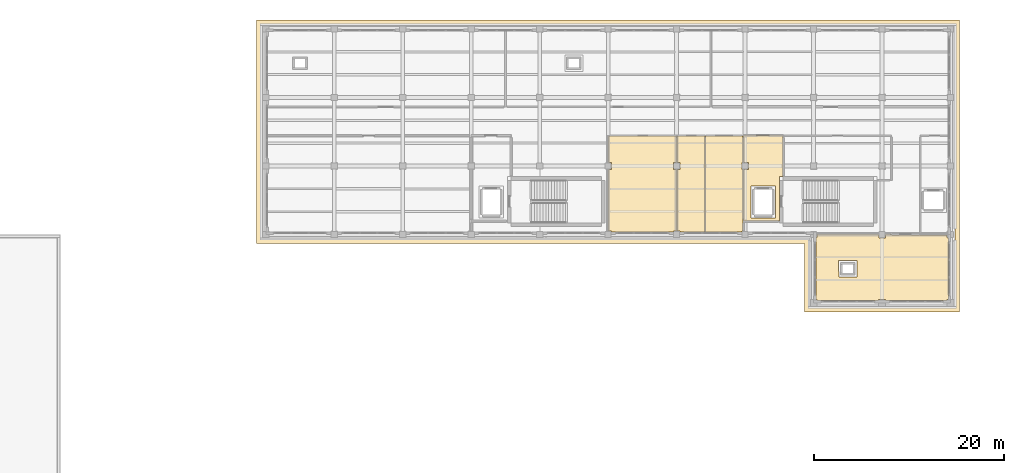
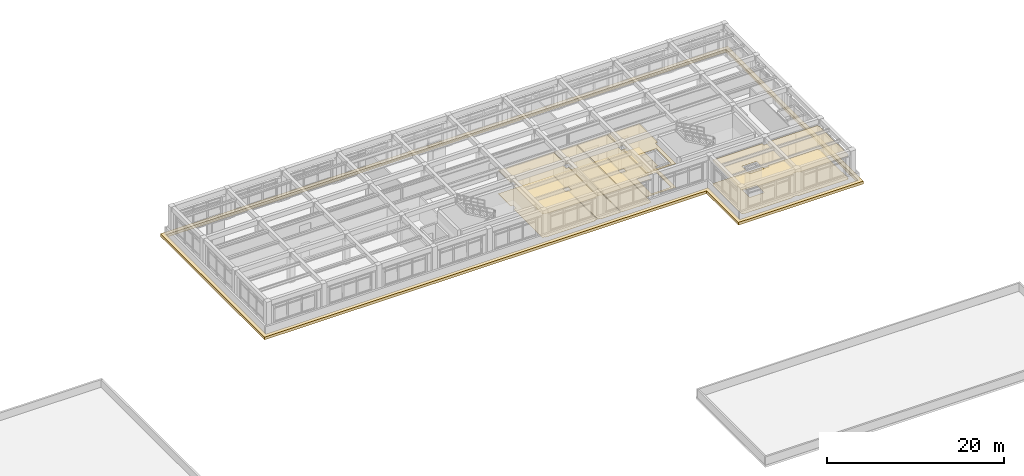
# One storey, part 53 of 55: 11 coverings.
"""IFC4 building model written with IfcOpenShell, lengths in metres."""

from ifc_helpers import new_model, si_unit, direction, frame, origin, place, context, subcontext, project, spatial, polyline, outline, extrude, material, layer, layer_set, type_object, element, save


model = new_model("IFC4")

# Units and contexts
model_context = context("Model", 3, precision=1e-05, world=origin(), true_north=direction((0.0, 1.0)))
body_context = subcontext(model_context, "Body", "Model", "MODEL_VIEW")
ifc_project = project(units=[si_unit("LENGTHUNIT", "METRE"), si_unit("AREAUNIT", "SQUARE_METRE"), si_unit("VOLUMEUNIT", "CUBIC_METRE"), si_unit("PLANEANGLEUNIT", "RADIAN"), si_unit("MASSUNIT", "GRAM", prefix="KILO")], contexts=[model_context])

# Site, building, storey
site_placement = place(None, origin())
site = spatial("IfcSite", under=ifc_project, at=site_placement, CompositionType="ELEMENT")
building_placement = place(site_placement, origin())
building = spatial("IfcBuilding", under=site, at=building_placement, Name="Solenvale Faculty of Natural Sciences", CompositionType="ELEMENT")
storey_placement = place(building_placement, frame((0.0, 0.0, 22.5)))
storey = spatial("IfcBuildingStorey", under=building, at=storey_placement, Name="L05", CompositionType="ELEMENT", Elevation=22.5)

# Coverings
ifc_material_1 = material(Name="Acoustic mineral-timber ceiling", Category="wood")
ifc_layer_1 = layer(ifc_material_1, 0.02490234375)
ifc_layer_set_1 = layer_set([ifc_layer_1], Name="Acoustic mineral-timber ceiling")
covering_type_1 = type_object("IfcCoveringType", Name="COV-CEIL-AC25", PredefinedType="CEILING", material=ifc_layer_set_1)
covering_1_placement = place(storey_placement, frame((0.0, 0.0, 3.235107421875)))
element("IfcCovering", 1, at=covering_1_placement, inside=storey, type_object=covering_type_1, Name="L05 Firefighting Lobby C5 Acoustic Ceiling", PredefinedType="CEILING", context=body_context, shape_type="SweptSolid", body=[
    extrude(outline(polyline([(133.580078125, 99.7099609375), (133.555908203125, 99.680908203125), (133.248046875, 99.679931640625), (133.219970703125, 99.652099609375), (133.212890625, 95.031005859375), (133.18994140625, 95.02001953125), (129.430908203125, 95.027099609375), (129.419921875, 95.050048828125), (129.419921875, 100.423095703125), (129.447021484375, 100.449951171875), (129.947998046875, 100.4541015625), (129.949951171875, 101.138916015625), (129.93896484375, 101.14990234375), (129.447021484375, 101.14990234375), (129.4208984375, 101.174072265625), (129.419921875, 103.949951171875), (129.428955078125, 103.970947265625), (129.449951171875, 103.97998046875), (133.550048828125, 103.97998046875), (133.571044921875, 103.970947265625), (133.580078125, 103.949951171875), (133.580078125, 99.7099609375)]), holes=[polyline([(132.780029296875, 98.652099609375), (132.77001953125, 98.672119140625), (132.75, 98.679931640625), (130.25, 98.679931640625), (130.22607421875, 98.66796875), (130.219970703125, 95.35009765625), (130.23193359375, 95.325927734375), (132.75, 95.320068359375), (132.77392578125, 95.33203125), (132.780029296875, 98.652099609375)])]), origin(), (0.0, 0.0, 1.0), 0.02490234375),
])
covering_2_placement = place(storey_placement, frame((0.0, 0.0, 3.235107421875)))
element("IfcCovering", 2, at=covering_2_placement, inside=storey, type_object=covering_type_1, Name="L05 Public Washroom Acoustic Ceiling", PredefinedType="CEILING", context=body_context, shape_type="SweptSolid", body=[
    extrude(outline(polyline([(122.35009765625, 103.9599609375), (122.37109375, 103.950927734375), (122.3798828125, 103.929931640625), (122.3798828125, 101.177001953125), (122.35302734375, 101.14990234375), (122.051025390625, 101.14404296875), (122.050048828125, 100.4609375), (122.06103515625, 100.449951171875), (122.35302734375, 100.449951171875), (122.3798828125, 100.423095703125), (122.375, 93.962890625), (122.35009765625, 93.949951171875), (122.056884765625, 93.949951171875), (122.049072265625, 93.861083984375), (122.02001953125, 93.840087890625), (115.580078125, 93.840087890625), (115.551025390625, 93.861083984375), (115.54296875, 93.949951171875), (115.23291015625, 93.955078125), (115.219970703125, 93.97998046875), (115.219970703125, 100.419921875), (115.2470703125, 100.449951171875), (115.549072265625, 100.4560546875), (115.550048828125, 101.138916015625), (115.5390625, 101.14990234375), (115.2470703125, 101.14990234375), (115.219970703125, 101.177001953125), (115.22509765625, 103.947021484375), (115.25, 103.9599609375), (122.35009765625, 103.9599609375)])), origin(), (0.0, 0.0, 1.0), 0.02490234375),
])
covering_3_placement = place(storey_placement, frame((0.0, 0.0, 3.235107421875)))
element("IfcCovering", 3, at=covering_3_placement, inside=storey, type_object=covering_type_1, Name="L05 Accessible Washroom Acoustic Ceiling", PredefinedType="CEILING", context=body_context, shape_type="SweptSolid", body=[
    extrude(outline(polyline([(125.35009765625, 103.9599609375), (125.37109375, 103.950927734375), (125.3798828125, 103.929931640625), (125.37890625, 93.861083984375), (125.35009765625, 93.840087890625), (122.77099609375, 93.841064453125), (122.7509765625, 93.861083984375), (122.743896484375, 93.948974609375), (122.467041015625, 93.949951171875), (122.43994140625, 93.97998046875), (122.43994140625, 100.419921875), (122.467041015625, 100.449951171875), (122.739013671875, 100.449951171875), (122.75, 100.4609375), (122.7490234375, 101.14404296875), (122.467041015625, 101.14990234375), (122.43994140625, 101.177001953125), (122.44091796875, 103.93896484375), (122.469970703125, 103.9599609375), (125.35009765625, 103.9599609375)])), origin(), (0.0, 0.0, 1.0), 0.02490234375),
])
covering_4_placement = place(storey_placement, frame((0.0, 0.0, 3.235107421875)))
element("IfcCovering", 4, at=covering_4_placement, inside=storey, type_object=covering_type_1, Name="L05 Specimen Cold Store Acoustic Ceiling", PredefinedType="CEILING", context=body_context, shape_type="SweptSolid", body=[
    extrude(outline(polyline([(129.330078125, 103.9599609375), (129.35107421875, 103.950927734375), (129.360107421875, 103.929931640625), (129.360107421875, 101.179931640625), (129.339111328125, 101.15087890625), (129.25, 101.14208984375), (129.25, 100.4609375), (129.259033203125, 100.449951171875), (129.341064453125, 100.447998046875), (129.360107421875, 100.419921875), (129.360107421875, 95.0), (129.3798828125, 94.950927734375), (129.3779296875, 93.968994140625), (129.35595703125, 93.950927734375), (129.25390625, 93.947998046875), (129.2490234375, 93.861083984375), (129.219970703125, 93.840087890625), (125.458984375, 93.842041015625), (125.43994140625, 93.8701171875), (125.44189453125, 103.94091796875), (125.469970703125, 103.9599609375), (129.330078125, 103.9599609375)])), origin(), (0.0, 0.0, 1.0), 0.02490234375),
])
covering_5_placement = place(storey_placement, frame((0.0, 0.0, 3.235107421875)))
element("IfcCovering", 5, at=covering_5_placement, inside=storey, type_object=covering_type_1, Name="L05 Seminar Room Acoustic Ceiling", PredefinedType="CEILING", context=body_context, shape_type="SweptSolid", body=[
    extrude(outline(polyline([(144.950927734375, 93.580078125), (145.0, 93.56005859375), (150.820068359375, 93.56005859375), (150.843017578125, 93.549072265625), (150.85009765625, 93.257080078125), (150.93896484375, 93.2490234375), (150.9599609375, 93.219970703125), (150.9599609375, 86.804931640625), (150.93603515625, 86.77587890625), (150.827880859375, 86.77197265625), (150.824951171875, 86.6669921875), (150.81396484375, 86.64697265625), (144.405029296875, 86.639892578125), (144.3759765625, 86.660888671875), (144.366943359375, 86.77490234375), (143.635986328125, 86.77490234375), (143.625, 86.76611328125), (143.6240234375, 86.660888671875), (143.594970703125, 86.639892578125), (137.205078125, 86.639892578125), (137.176025390625, 86.6640625), (137.172119140625, 86.77197265625), (137.06689453125, 86.77490234375), (137.047119140625, 86.785888671875), (137.0400390625, 93.219970703125), (137.06103515625, 93.2490234375), (137.14990234375, 93.257080078125), (137.14990234375, 93.550048828125), (137.160888671875, 93.572998046875), (143.6201171875, 93.580078125), (143.64990234375, 93.552978515625), (143.656005859375, 93.2509765625), (144.339111328125, 93.25), (144.35009765625, 93.260986328125), (144.35009765625, 93.552978515625), (144.365966796875, 93.575927734375), (144.950927734375, 93.580078125)]), holes=[polyline([(141.360107421875, 90.83203125), (141.35009765625, 90.85205078125), (141.330078125, 90.860107421875), (139.449951171875, 90.85205078125), (139.43994140625, 90.830078125), (139.447998046875, 89.14990234375), (139.469970703125, 89.139892578125), (141.35009765625, 89.14794921875), (141.360107421875, 89.169921875), (141.360107421875, 90.83203125)])]), origin(), (0.0, 0.0, 1.0), 0.02490234375),
])
ifc_material_2 = material(Name="Polished slate terrazzo flooring", Category="masonry")
ifc_layer_2 = layer(ifc_material_2, 0.01806640625)
ifc_layer_set_2 = layer_set([ifc_layer_2], Name="Polished slate terrazzo flooring")
covering_type_2 = type_object("IfcCoveringType", Name="COV-FLR-TRZ18", PredefinedType="FLOORING", material=ifc_layer_set_2)
covering_6_placement = place(storey_placement, origin())
element("IfcCovering", 6, at=covering_6_placement, inside=storey, type_object=covering_type_2, Name="L05 Firefighting Lobby C5 Floor Finish", PredefinedType="FLOORING", context=body_context, shape_type="SweptSolid", body=[
    extrude(outline(polyline([(133.580078125, 99.7099609375), (133.555908203125, 99.680908203125), (133.248046875, 99.679931640625), (133.219970703125, 99.652099609375), (133.212890625, 95.031005859375), (133.18994140625, 95.02001953125), (129.430908203125, 95.027099609375), (129.419921875, 95.050048828125), (129.419921875, 100.423095703125), (129.447021484375, 100.449951171875), (129.947998046875, 100.4541015625), (129.949951171875, 101.138916015625), (129.93896484375, 101.14990234375), (129.447021484375, 101.14990234375), (129.4208984375, 101.174072265625), (129.419921875, 103.949951171875), (129.428955078125, 103.970947265625), (129.449951171875, 103.97998046875), (133.550048828125, 103.97998046875), (133.571044921875, 103.970947265625), (133.580078125, 103.949951171875), (133.580078125, 99.7099609375)]), holes=[polyline([(132.780029296875, 98.652099609375), (132.77001953125, 98.672119140625), (132.75, 98.679931640625), (130.25, 98.679931640625), (130.22607421875, 98.66796875), (130.219970703125, 95.35009765625), (130.23193359375, 95.325927734375), (132.75, 95.320068359375), (132.77392578125, 95.33203125), (132.780029296875, 98.652099609375)])]), origin(), (0.0, 0.0, 1.0), 0.01806640625),
])
covering_7_placement = place(storey_placement, origin())
element("IfcCovering", 7, at=covering_7_placement, inside=storey, type_object=covering_type_2, Name="L05 Public Washroom Floor Finish", PredefinedType="FLOORING", context=body_context, shape_type="SweptSolid", body=[
    extrude(outline(polyline([(122.35009765625, 103.9599609375), (122.37109375, 103.950927734375), (122.3798828125, 103.929931640625), (122.3798828125, 101.177001953125), (122.35302734375, 101.14990234375), (122.051025390625, 101.14404296875), (122.050048828125, 100.4609375), (122.06103515625, 100.449951171875), (122.35302734375, 100.449951171875), (122.3798828125, 100.423095703125), (122.375, 93.962890625), (122.35009765625, 93.949951171875), (122.056884765625, 93.949951171875), (122.049072265625, 93.861083984375), (122.02001953125, 93.840087890625), (115.580078125, 93.840087890625), (115.551025390625, 93.861083984375), (115.54296875, 93.949951171875), (115.23291015625, 93.955078125), (115.219970703125, 93.97998046875), (115.219970703125, 100.419921875), (115.2470703125, 100.449951171875), (115.549072265625, 100.4560546875), (115.550048828125, 101.138916015625), (115.5390625, 101.14990234375), (115.2470703125, 101.14990234375), (115.219970703125, 101.177001953125), (115.22509765625, 103.947021484375), (115.25, 103.9599609375), (122.35009765625, 103.9599609375)])), origin(), (0.0, 0.0, 1.0), 0.01806640625),
])
covering_8_placement = place(storey_placement, origin())
element("IfcCovering", 8, at=covering_8_placement, inside=storey, type_object=covering_type_2, Name="L05 Accessible Washroom Floor Finish", PredefinedType="FLOORING", context=body_context, shape_type="SweptSolid", body=[
    extrude(outline(polyline([(125.35009765625, 103.9599609375), (125.37109375, 103.950927734375), (125.3798828125, 103.929931640625), (125.37890625, 93.861083984375), (125.35009765625, 93.840087890625), (122.77099609375, 93.841064453125), (122.7509765625, 93.861083984375), (122.743896484375, 93.948974609375), (122.467041015625, 93.949951171875), (122.43994140625, 93.97998046875), (122.43994140625, 100.419921875), (122.467041015625, 100.449951171875), (122.739013671875, 100.449951171875), (122.75, 100.4609375), (122.7490234375, 101.14404296875), (122.467041015625, 101.14990234375), (122.43994140625, 101.177001953125), (122.44091796875, 103.93896484375), (122.469970703125, 103.9599609375), (125.35009765625, 103.9599609375)])), origin(), (0.0, 0.0, 1.0), 0.01806640625),
])
covering_9_placement = place(storey_placement, origin())
element("IfcCovering", 9, at=covering_9_placement, inside=storey, type_object=covering_type_2, Name="L05 Specimen Cold Store Floor Finish", PredefinedType="FLOORING", context=body_context, shape_type="SweptSolid", body=[
    extrude(outline(polyline([(129.330078125, 103.9599609375), (129.35107421875, 103.950927734375), (129.360107421875, 103.929931640625), (129.360107421875, 101.179931640625), (129.339111328125, 101.15087890625), (129.25, 101.14208984375), (129.25, 100.4609375), (129.259033203125, 100.449951171875), (129.341064453125, 100.447998046875), (129.360107421875, 100.419921875), (129.360107421875, 95.0), (129.3798828125, 94.950927734375), (129.3779296875, 93.968994140625), (129.35595703125, 93.950927734375), (129.25390625, 93.947998046875), (129.2490234375, 93.861083984375), (129.219970703125, 93.840087890625), (125.458984375, 93.842041015625), (125.43994140625, 93.8701171875), (125.44189453125, 103.94091796875), (125.469970703125, 103.9599609375), (129.330078125, 103.9599609375)])), origin(), (0.0, 0.0, 1.0), 0.01806640625),
])
covering_10_placement = place(storey_placement, origin())
element("IfcCovering", 10, at=covering_10_placement, inside=storey, type_object=covering_type_2, Name="L05 Seminar Room Floor Finish", PredefinedType="FLOORING", context=body_context, shape_type="SweptSolid", body=[
    extrude(outline(polyline([(144.950927734375, 93.580078125), (145.0, 93.56005859375), (150.820068359375, 93.56005859375), (150.843017578125, 93.549072265625), (150.85009765625, 93.257080078125), (150.93896484375, 93.2490234375), (150.9599609375, 93.219970703125), (150.9599609375, 86.804931640625), (150.93603515625, 86.77587890625), (150.827880859375, 86.77197265625), (150.824951171875, 86.6669921875), (150.81396484375, 86.64697265625), (144.405029296875, 86.639892578125), (144.3759765625, 86.660888671875), (144.366943359375, 86.77490234375), (143.635986328125, 86.77490234375), (143.625, 86.76611328125), (143.6240234375, 86.660888671875), (143.594970703125, 86.639892578125), (137.205078125, 86.639892578125), (137.176025390625, 86.6640625), (137.172119140625, 86.77197265625), (137.06689453125, 86.77490234375), (137.047119140625, 86.785888671875), (137.0400390625, 93.219970703125), (137.06103515625, 93.2490234375), (137.14990234375, 93.257080078125), (137.14990234375, 93.550048828125), (137.160888671875, 93.572998046875), (143.6201171875, 93.580078125), (143.64990234375, 93.552978515625), (143.656005859375, 93.2509765625), (144.339111328125, 93.25), (144.35009765625, 93.260986328125), (144.35009765625, 93.552978515625), (144.365966796875, 93.575927734375), (144.950927734375, 93.580078125)]), holes=[polyline([(141.360107421875, 90.83203125), (141.35009765625, 90.85205078125), (141.330078125, 90.860107421875), (139.449951171875, 90.85205078125), (139.43994140625, 90.830078125), (139.447998046875, 89.14990234375), (139.469970703125, 89.139892578125), (141.35009765625, 89.14794921875), (141.360107421875, 89.169921875), (141.360107421875, 90.83203125)])]), origin(), (0.0, 0.0, 1.0), 0.01806640625),
])
ifc_material_3 = material(Name="Insulated EPDM roofing membrane")
ifc_layer_3 = layer(ifc_material_3, 0.06494140625)
ifc_layer_set_3 = layer_set([ifc_layer_3], Name="Insulated EPDM roofing membrane")
covering_type_3 = type_object("IfcCoveringType", Name="COV-ROOF-MEMB", PredefinedType="ROOFING", material=ifc_layer_set_3)
covering_11_placement = place(storey_placement, frame((0.0, 0.0, -0.340087890625)))
element("IfcCovering", 11, at=covering_11_placement, inside=storey, type_object=covering_type_3, Name="L05 Projecting Horizontal Bronze Concrete Tray Ledge 2", PredefinedType="CLADDING", context=body_context, shape_type="SweptSolid", body=[
    extrude(outline(polyline([(78.25, 116.1298828125), (78.256103515625, 116.14404296875), (78.27001953125, 116.14990234375), (152.137939453125, 116.14794921875), (152.14990234375, 116.1298828125), (152.14794921875, 85.4619140625), (152.1298828125, 85.449951171875), (135.862060546875, 85.451904296875), (135.85009765625, 85.469970703125), (135.85009765625, 92.64990234375), (78.261962890625, 92.652099609375), (78.25, 92.669921875), (78.25, 116.1298828125)]), holes=[polyline([(78.719970703125, 93.1201171875), (136.302001953125, 93.1201171875), (136.31396484375, 93.114013671875), (136.320068359375, 93.10009765625), (136.320068359375, 85.919921875), (151.679931640625, 85.919921875), (151.679931640625, 115.679931640625), (78.719970703125, 115.679931640625), (78.719970703125, 93.1201171875)])]), origin(), (0.0, 0.0, 1.0), 0.380126953125),
])

save(model, "model.ifc")
